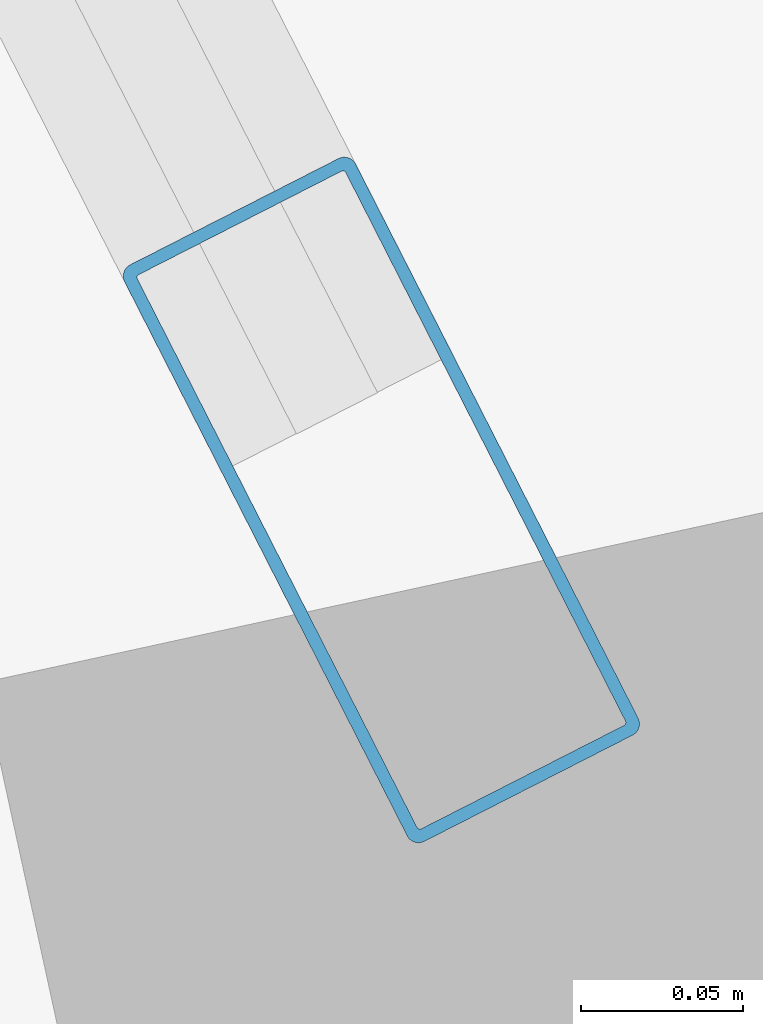
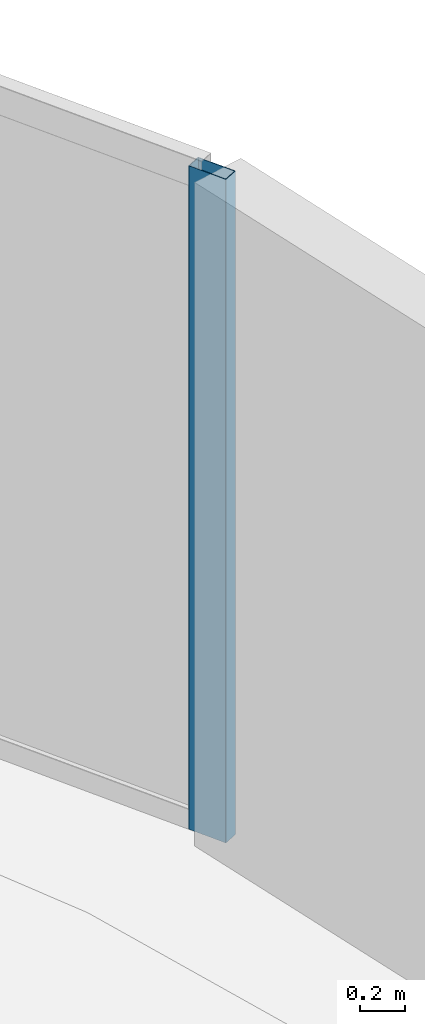
# One storey, part 11 of 22: 1 member, 1 element without a shape of its own.
"""IFC4 building model written with IfcOpenShell, lengths in metres."""

from ifc_helpers import new_model, si_unit, direction, frame, origin, origin_2d, place, context, subcontext, project, spatial, hollow_rectangle, extrude, material, layer, layer_set, material_profile, profile_set, type_object, element, aggregate, save


model = new_model("IFC4")

# Units and contexts
model_context = context("Model", 3, precision=1e-05, world=origin(), true_north=direction((0.0, 1.0)))
body_context = subcontext(model_context, "Body", "Model", "MODEL_VIEW")
ifc_project = project(units=[si_unit("LENGTHUNIT", "METRE"), si_unit("AREAUNIT", "SQUARE_METRE"), si_unit("VOLUMEUNIT", "CUBIC_METRE"), si_unit("PLANEANGLEUNIT", "RADIAN"), si_unit("MASSUNIT", "GRAM", prefix="KILO")], contexts=[model_context])

# Site, building, storey
site_placement = place(None, origin())
site = spatial("IfcSite", under=ifc_project, at=site_placement, CompositionType="ELEMENT")
building_placement = place(site_placement, origin())
building = spatial("IfcBuilding", under=site, at=building_placement, Name="Bramvorn Convention Spire", CompositionType="ELEMENT")
storey_placement = place(building_placement, frame((0.0, 0.0, 253.60009765625)))
storey = spatial("IfcBuildingStorey", under=building, at=storey_placement, Name="L64", CompositionType="ELEMENT", Elevation=253.60009765625)

# Curtain wall, member
ifc_material_1 = material(Name="Anodised Bronze Unitised Curtain Wall", Category="aluminium")
ifc_layer = layer(ifc_material_1, 0.179931640625)
ifc_layer_set = layer_set([ifc_layer], Name="Anodised Bronze Unitised Curtain Wall - CW-OFF-FRIT")
curtain_wall_type = type_object("IfcCurtainWallType", Name="CW-OFF-FRIT", PredefinedType="USERDEFINED", material=ifc_layer_set)
curtain_wall_placement = place(storey_placement, origin())
curtain_wall = element("IfcCurtainWall", 1, at=curtain_wall_placement, inside=storey, type_object=curtain_wall_type, Name="L64 fritted glass curtain wall 06", ObjectType="UNITISED CURTAIN WALL", PredefinedType="USERDEFINED")
ifc_material_2 = material(Name="Anodised Bronze Aluminium 6063-T6", Category="aluminium")
ifc_material_profile = material_profile(ifc_material_2, hollow_rectangle(XDim=0.080078125, YDim=0.199951171875, WallThickness=0.00390625, InnerFilletRadius=0.0009765625, OuterFilletRadius=0.00390625, at=origin_2d()))
ifc_profile_set = profile_set([ifc_material_profile], Name="Anodised Bronze Aluminium 6063-T6 - CWM80X200")
member_type = type_object("IfcMemberType", Name="CW-MUL-180", PredefinedType="MULLION", material=ifc_profile_set)
member_placement = place(storey_placement, frame((57.07666015625, 32.92431640625, 0.0), z_axis=(0.0, 0.0, 1.0), x_axis=(0.890856910511, 0.45428401358, 0.0)))
member = element("IfcMember", 2, at=member_placement, type_object=member_type, Name="CW3 mullion 2", PredefinedType="MULLION", context=body_context, shape_type="SweptSolid", body=[
    extrude(hollow_rectangle(XDim=0.080078125, YDim=0.199951171875, WallThickness=0.00390625, InnerFilletRadius=0.0009765625, OuterFilletRadius=0.00390625, at=origin_2d()), origin(), (0.0, 0.0, 1.0), 3.625),
])
aggregate(curtain_wall, [member])

save(model, "model.ifc")
